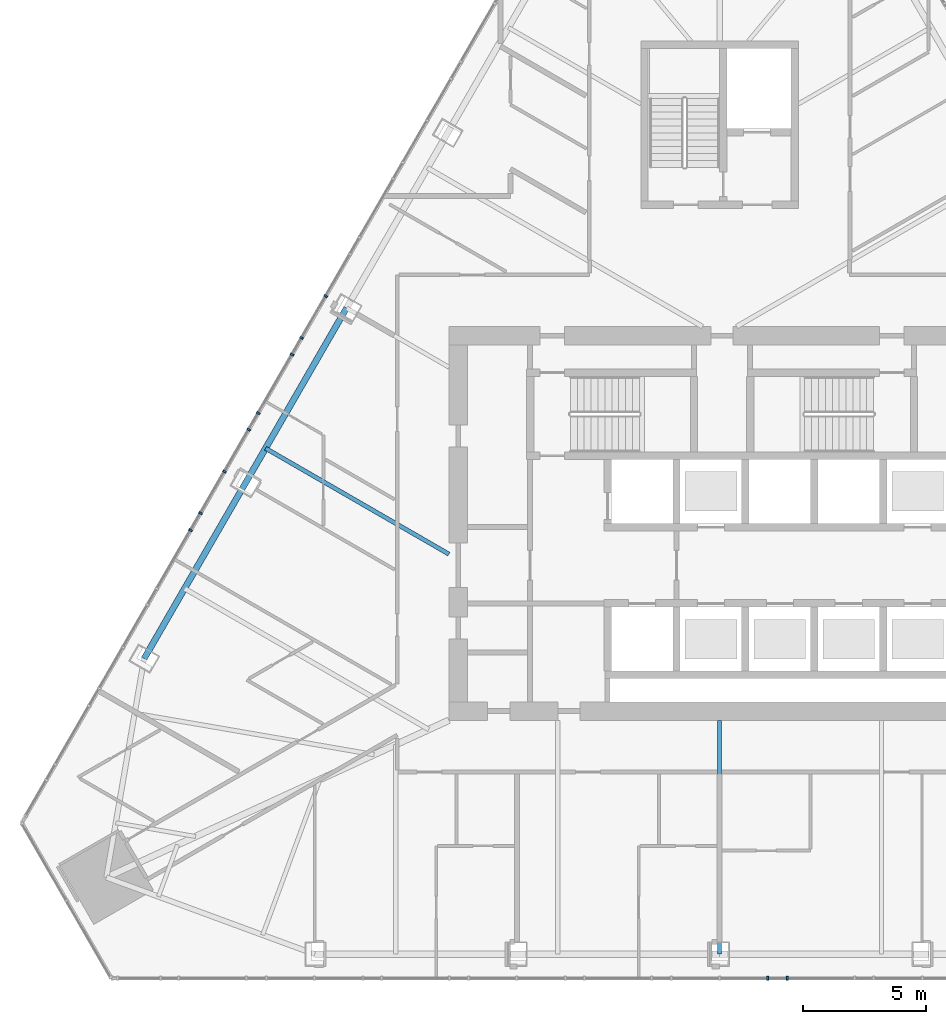
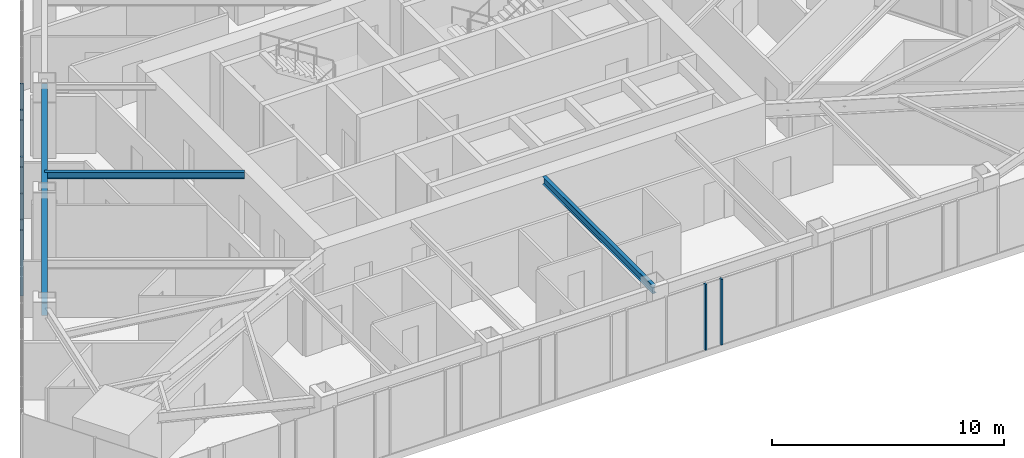
# One storey, part 4 of 24: 10 members, 3 beams, 2 elements without a shape of their own.
"""IFC4 building model written with IfcOpenShell, lengths in metres."""

from ifc_helpers import new_model, si_unit, direction, frame, origin, origin_2d, place, context, subcontext, project, spatial, rectangle, i_section, extrude, material, layer, layer_set, material_profile, profile_set, type_object, element, aggregate, save


model = new_model("IFC4")

# Units and contexts
model_context = context("Model", 3, precision=1e-05, world=origin(), true_north=direction((0.0, 1.0)))
body_context = subcontext(model_context, "Body", "Model", "MODEL_VIEW")
ifc_project = project(units=[si_unit("LENGTHUNIT", "METRE"), si_unit("AREAUNIT", "SQUARE_METRE"), si_unit("VOLUMEUNIT", "CUBIC_METRE"), si_unit("PLANEANGLEUNIT", "RADIAN"), si_unit("MASSUNIT", "GRAM", prefix="KILO")], contexts=[model_context])

# Site, building, storey
site_placement = place(None, origin())
site = spatial("IfcSite", under=ifc_project, at=site_placement, CompositionType="ELEMENT")
building_placement = place(site_placement, origin())
building = spatial("IfcBuilding", under=site, at=building_placement, Name="Firuza Gate Tower and Library", CompositionType="ELEMENT")
storey_placement = place(building_placement, frame((0.0, 0.0, 237.699951171875)))
storey = spatial("IfcBuildingStorey", under=building, at=storey_placement, Name="L56", CompositionType="ELEMENT", Elevation=237.699951171875)

# Curtain wall, members
ifc_material_1 = material(Name="Aluminium 6063-T6", Category="aluminium")
ifc_layer = layer(ifc_material_1, 0.14990234375)
ifc_layer_set = layer_set([ifc_layer], Name="Unitised curtain wall, hotel")
curtain_wall_type = type_object("IfcCurtainWallType", Name="Unitised curtain wall, hotel", PredefinedType="NOTDEFINED", material=ifc_layer_set)
placement = place(storey_placement, origin())
curtain_wall_1 = element("IfcCurtainWall", 1, at=placement, inside=storey, type_object=curtain_wall_type, Name="CW2 L56 S face", PredefinedType="NOTDEFINED")
ifc_material_2 = material(Name="Aluminium 6063-T6", Category="aluminium")
ifc_material_profile_1 = material_profile(ifc_material_2, rectangle(XDim=0.14990234375, YDim=0.080078125, at=origin_2d()))
ifc_profile_set_1 = profile_set([ifc_material_profile_1], Name="Aluminium 6063-T6")
member_type = type_object("IfcMemberType", Name="Curtain wall mullion 80x150", PredefinedType="MULLION", material=ifc_profile_set_1)
member_1_placement = place(storey_placement, frame((77.74658203125, 56.52099609375, 0.150146484375), z_axis=(0.0, 0.0, 1.0), x_axis=(0.0, 1.0, 0.0)))
member_1 = element("IfcMember", 2, at=member_1_placement, type_object=member_type, Name="Mullion", PredefinedType="MULLION", context=body_context, shape_type="SweptSolid", body=[
    extrude(rectangle(XDim=0.14990234375, YDim=0.080078125, at=origin_2d()), origin(), (0.0, 0.0, 1.0), 3.449951171875),
])
member_2_placement = place(storey_placement, frame((76.961669921875, 56.52099609375, 0.150146484375), z_axis=(0.0, 0.0, 1.0), x_axis=(0.0, 1.0, 0.0)))
member_2 = element("IfcMember", 3, at=member_2_placement, type_object=member_type, Name="Mullion", PredefinedType="MULLION", context=body_context, shape_type="SweptSolid", body=[
    extrude(rectangle(XDim=0.14990234375, YDim=0.080078125, at=origin_2d()), origin(), (0.0, 0.0, 1.0), 3.449951171875),
])
aggregate(curtain_wall_1, [member_1, member_2])

curtain_wall_2 = element("IfcCurtainWall", 4, at=placement, inside=storey, type_object=curtain_wall_type, Name="CW2 L56 W face", PredefinedType="NOTDEFINED")
member_3_placement = place(storey_placement, frame((58.996826171875, 84.239501953125, 0.150146484375), z_axis=(0.0, 0.0, 1.0), x_axis=(0.866025403784, -0.5, 0.0)))
member_3 = element("IfcMember", 5, at=member_3_placement, type_object=member_type, Name="Mullion", PredefinedType="MULLION", context=body_context, shape_type="SweptSolid", body=[
    extrude(rectangle(XDim=0.14990234375, YDim=0.080078125, at=origin_2d()), origin(), (0.0, 0.0, 1.0), 3.449951171875),
])
member_4_placement = place(storey_placement, frame((57.623291015625, 81.86083984375, 0.150146484375), z_axis=(0.0, 0.0, 1.0), x_axis=(0.866025403784, -0.5, 0.0)))
member_4 = element("IfcMember", 6, at=member_4_placement, type_object=member_type, Name="Mullion", PredefinedType="MULLION", context=body_context, shape_type="SweptSolid", body=[
    extrude(rectangle(XDim=0.14990234375, YDim=0.080078125, at=origin_2d()), origin(), (0.0, 0.0, 1.0), 3.449951171875),
])
member_5_placement = place(storey_placement, frame((56.25, 79.482177734375, 0.150146484375), z_axis=(0.0, 0.0, 1.0), x_axis=(0.866025403784, -0.5, 0.0)))
member_5 = element("IfcMember", 7, at=member_5_placement, type_object=member_type, Name="Mullion", PredefinedType="MULLION", context=body_context, shape_type="SweptSolid", body=[
    extrude(rectangle(XDim=0.14990234375, YDim=0.080078125, at=origin_2d()), origin(), (0.0, 0.0, 1.0), 3.449951171875),
])
member_6_placement = place(storey_placement, frame((54.876708984375, 77.103515625, 0.150146484375), z_axis=(0.0, 0.0, 1.0), x_axis=(0.866025403784, -0.5, 0.0)))
member_6 = element("IfcMember", 8, at=member_6_placement, type_object=member_type, Name="Mullion", PredefinedType="MULLION", context=body_context, shape_type="SweptSolid", body=[
    extrude(rectangle(XDim=0.14990234375, YDim=0.080078125, at=origin_2d()), origin(), (0.0, 0.0, 1.0), 3.449951171875),
])
member_7_placement = place(storey_placement, frame((53.50341796875, 74.724853515625, 0.150146484375), z_axis=(0.0, 0.0, 1.0), x_axis=(0.866025403784, -0.5, 0.0)))
member_7 = element("IfcMember", 9, at=member_7_placement, type_object=member_type, Name="Mullion", PredefinedType="MULLION", context=body_context, shape_type="SweptSolid", body=[
    extrude(rectangle(XDim=0.14990234375, YDim=0.080078125, at=origin_2d()), origin(), (0.0, 0.0, 1.0), 3.449951171875),
])
member_8_placement = place(storey_placement, frame((58.015869140625, 82.540771484375, 0.150146484375), z_axis=(0.0, 0.0, 1.0), x_axis=(0.866025403784, -0.5, 0.0)))
member_8 = element("IfcMember", 10, at=member_8_placement, type_object=member_type, Name="Mullion", PredefinedType="MULLION", context=body_context, shape_type="SweptSolid", body=[
    extrude(rectangle(XDim=0.14990234375, YDim=0.080078125, at=origin_2d()), origin(), (0.0, 0.0, 1.0), 3.449951171875),
])
member_9_placement = place(storey_placement, frame((55.86474609375, 78.814697265625, 0.150146484375), z_axis=(0.0, 0.0, 1.0), x_axis=(0.866025403784, -0.5, 0.0)))
member_9 = element("IfcMember", 11, at=member_9_placement, type_object=member_type, Name="Mullion", PredefinedType="MULLION", context=body_context, shape_type="SweptSolid", body=[
    extrude(rectangle(XDim=0.14990234375, YDim=0.080078125, at=origin_2d()), origin(), (0.0, 0.0, 1.0), 3.449951171875),
])
member_10_placement = place(storey_placement, frame((53.903076171875, 75.417236328125, 0.150146484375), z_axis=(0.0, 0.0, 1.0), x_axis=(0.866025403784, -0.5, 0.0)))
member_10 = element("IfcMember", 12, at=member_10_placement, type_object=member_type, Name="Mullion", PredefinedType="MULLION", context=body_context, shape_type="SweptSolid", body=[
    extrude(rectangle(XDim=0.14990234375, YDim=0.080078125, at=origin_2d()), origin(), (0.0, 0.0, 1.0), 3.449951171875),
])
aggregate(curtain_wall_2, [member_3, member_4, member_5, member_6, member_7, member_8, member_9, member_10])

# Beams
ifc_material_3 = material(Name="Steel S355", Category="steel")
ifc_material_profile_2 = material_profile(ifc_material_3, i_section(OverallWidth=0.1708984375, OverallDepth=0.35498046875, WebThickness=0.007080078125, FlangeThickness=0.01171875, at=origin_2d()))
ifc_profile_set_2 = profile_set([ifc_material_profile_2], Name="Steel S355")
beam_type_1 = type_object("IfcBeamType", Name="W360x51 Floor beam", PredefinedType="JOIST", material=ifc_profile_set_2)
beam_1_placement = place(storey_placement, frame((56.55078125, 78.05322265625, 3.422607421875), z_axis=(0.866026773083, -0.499997628298, 0.0), x_axis=(0.499997628298, 0.866026773083, 0.0)))
element("IfcBeam", 13, at=beam_1_placement, inside=storey, type_object=beam_type_1, Name="Floor beam L56 s83", PredefinedType="JOIST", context=body_context, shape_type="SweptSolid", body=[
    extrude(i_section(OverallWidth=0.1708984375, OverallDepth=0.35498046875, WebThickness=0.007080078125, FlangeThickness=0.01171875, at=origin_2d()), origin(), (0.0, 0.0, 1.0), 8.6015625),
])
ifc_material_4 = material(Name="Steel S355", Category="steel")
ifc_material_profile_3 = material_profile(ifc_material_4, i_section(OverallWidth=0.177978515625, OverallDepth=0.406982421875, WebThickness=0.0078125, FlangeThickness=0.0126953125, at=origin_2d()))
ifc_profile_set_3 = profile_set([ifc_material_profile_3], Name="Steel S355")
beam_type_2 = type_object("IfcBeamType", Name="W410x60 Floor beam", PredefinedType="JOIST", material=ifc_profile_set_3)
beam_2_placement = place(storey_placement, frame((75.0, 57.49609375, 3.396484375), z_axis=(0.0, 1.0, 0.0), x_axis=(-1.0, 0.0, 0.0)))
element("IfcBeam", 14, at=beam_2_placement, inside=storey, type_object=beam_type_2, Name="Floor beam L56 s22", PredefinedType="JOIST", context=body_context, shape_type="SweptSolid", body=[
    extrude(i_section(OverallWidth=0.177978515625, OverallDepth=0.406982421875, WebThickness=0.0078125, FlangeThickness=0.0126953125, at=origin_2d()), origin(), (0.0, 0.0, 1.0), 9.50390625),
])
ifc_material_5 = material(Name="Steel S355", Category="steel")
ifc_material_profile_4 = material_profile(ifc_material_5, i_section(OverallWidth=0.2529296875, OverallDepth=0.677978515625, WebThickness=0.01171875, FlangeThickness=0.016357421875, at=origin_2d()))
ifc_profile_set_4 = profile_set([ifc_material_profile_4], Name="Steel S355")
beam_type_3 = type_object("IfcBeamType", Name="W690x125 Edge beam", PredefinedType="SPANDREL", material=ifc_profile_set_4)
beam_3_placement = place(storey_placement, frame((59.841064453125, 83.751953125, 3.260986328125), z_axis=(-0.500001643842, -0.866024454709, 0.0), x_axis=(0.866024454709, -0.500001643842, 0.0)))
element("IfcBeam", 15, at=beam_3_placement, inside=storey, type_object=beam_type_3, Name="Edge beam L56 e82", PredefinedType="SPANDREL", context=body_context, shape_type="SweptSolid", body=[
    extrude(i_section(OverallWidth=0.2529296875, OverallDepth=0.677978515625, WebThickness=0.01171875, FlangeThickness=0.016357421875, at=origin_2d()), origin(), (0.0, 0.0, 1.0), 16.451171875),
])

save(model, "model.ifc")
